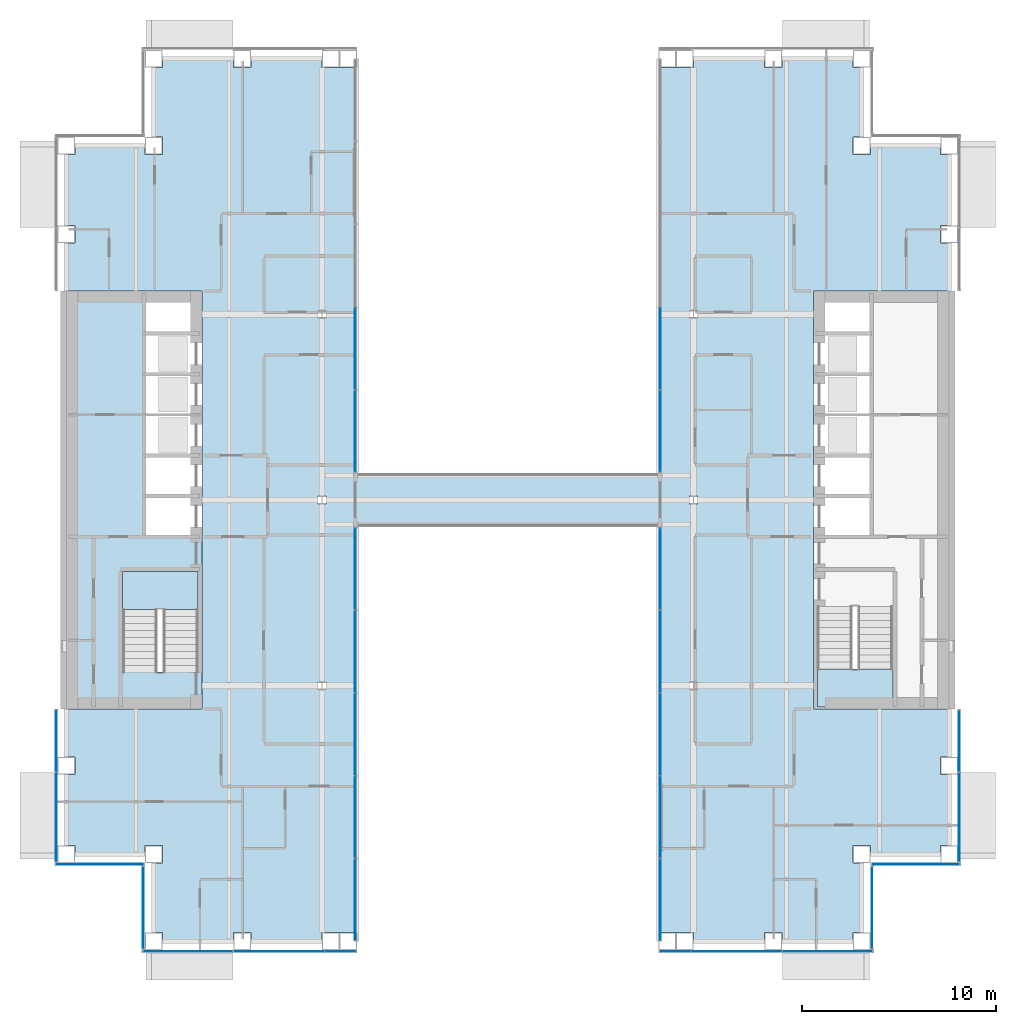
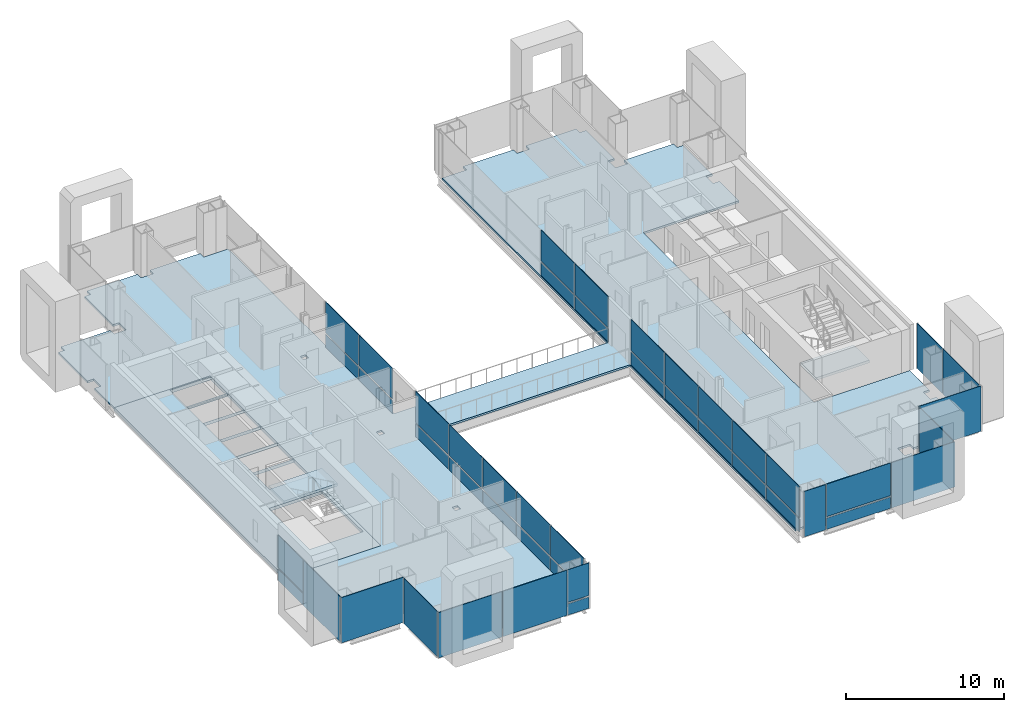
# One storey, part 8 of 17: 45 plates, 4 slabs, 14 elements without a shape of their own.
"""IFC4 building model written with IfcOpenShell, lengths in metres."""

from ifc_helpers import new_model, si_unit, direction, frame, origin, origin_2d, place, context, subcontext, project, spatial, polyline, rectangle, outline, extrude, material, layer, layer_set, type_object, element, aggregate, save


model = new_model("IFC4")

# Units and contexts
model_context = context("Model", 3, precision=1e-05, world=origin(), true_north=direction((0.0, 1.0)))
body_context = subcontext(model_context, "Body", "Model", "MODEL_VIEW")
ifc_project = project(units=[si_unit("LENGTHUNIT", "METRE"), si_unit("AREAUNIT", "SQUARE_METRE"), si_unit("VOLUMEUNIT", "CUBIC_METRE"), si_unit("PLANEANGLEUNIT", "RADIAN"), si_unit("MASSUNIT", "GRAM", prefix="KILO")], contexts=[model_context])

# Site, building, storey
site_placement = place(None, origin())
site = spatial("IfcSite", under=ifc_project, at=site_placement, CompositionType="ELEMENT")
building_placement = place(site_placement, origin())
building = spatial("IfcBuilding", under=site, at=building_placement, Name="Cobrizo Arcos Hotel Tower", CompositionType="ELEMENT")
storey_placement = place(building_placement, frame((0.0, 0.0, 131.0)))
storey = spatial("IfcBuildingStorey", under=building, at=storey_placement, Name="L33", CompositionType="ELEMENT", Elevation=131.0)

# Curtain wall, plate
ifc_material_1 = material(Name="Aluminium 6063-T6 anodised bronze", Category="aluminium")
curtain_wall_type_1 = type_object("IfcCurtainWallType", Name="CW-A guest facade", PredefinedType="NOTDEFINED", material=ifc_material_1)
curtain_wall_1_placement = place(storey_placement, origin())
curtain_wall_1 = element("IfcCurtainWall", 1, at=curtain_wall_1_placement, inside=storey, type_object=curtain_wall_type_1, Name="CW-A L33 S face", PredefinedType="NOTDEFINED")
ifc_material_2 = material(Name="Glass clear laminated low-e", Category="glass")
ifc_layer_1 = layer(ifc_material_2, 0.0400390625)
ifc_layer_set_1 = layer_set([ifc_layer_1], Name="CW-A glass panel")
plate_type_1 = type_object("IfcPlateType", Name="CW-A glass panel", PredefinedType="CURTAIN_PANEL", material=ifc_layer_set_1)
plate_1_placement = place(storey_placement, frame((-8.639892578125, -23.324951171875, 0.990234375), z_axis=(0.0, 0.0, 1.0), x_axis=(1.0, 0.0, 0.0)))
plate_1 = element("IfcPlate", 2, at=plate_1_placement, type_object=plate_type_1, Name="CW-A glass panel 1221", PredefinedType="CURTAIN_PANEL", context=body_context, shape_type="SweptSolid", body=[
    extrude(rectangle(XDim=1.56005859375, YDim=0.0400390625, at=origin_2d()), origin(), (0.0, 0.0, 1.0), 2.510009765625),
])

curtain_wall_2_placement = place(storey_placement, origin())
curtain_wall_2 = element("IfcCurtainWall", 3, at=curtain_wall_2_placement, inside=storey, type_object=curtain_wall_type_1, Name="CW-A L33 S face", PredefinedType="NOTDEFINED")
plate_2_placement = place(storey_placement, frame((11.8125, -23.324951171875, 0.990234375), z_axis=(0.0, 0.0, 1.0), x_axis=(1.0, 0.0, 0.0)))
plate_2 = element("IfcPlate", 4, at=plate_2_placement, type_object=plate_type_1, Name="CW-A glass panel 1223", PredefinedType="CURTAIN_PANEL", context=body_context, shape_type="SweptSolid", body=[
    extrude(rectangle(XDim=4.6650390625, YDim=0.0400390625, at=origin_2d()), origin(), (0.0, 0.0, 1.0), 2.510009765625),
])

curtain_wall_3_placement = place(storey_placement, origin())
curtain_wall_3 = element("IfcCurtainWall", 5, at=curtain_wall_3_placement, inside=storey, type_object=curtain_wall_type_1, Name="CW-A L33 W face", PredefinedType="NOTDEFINED")
plate_3_placement = place(storey_placement, frame((-23.324951171875, -12.4462890625, 0.990234375), z_axis=(0.0, 0.0, 1.0), x_axis=(0.0, -1.0, 0.0)))
plate_3 = element("IfcPlate", 6, at=plate_3_placement, type_object=plate_type_1, Name="CW-A glass panel 1243", PredefinedType="CURTAIN_PANEL", context=body_context, shape_type="SweptSolid", body=[
    extrude(rectangle(XDim=3.172607421875, YDim=0.0400390625, at=origin_2d()), origin(), (0.0, 0.0, 1.0), 2.510009765625),
])

# Plate
ifc_material_3 = material(Name="Aluminium composite panel pale metal", Category="aluminium")
ifc_layer_2 = layer(ifc_material_3, 0.0400390625)
ifc_layer_set_2 = layer_set([ifc_layer_2], Name="CW-A spandrel panel")
plate_type_2 = type_object("IfcPlateType", Name="CW-A spandrel panel", PredefinedType="CURTAIN_PANEL", material=ifc_layer_set_2)
plate_4_placement = place(storey_placement, frame((-16.5224609375, -23.324951171875, 0.0), z_axis=(0.0, 0.0, 1.0), x_axis=(1.0, 0.0, 0.0)))
plate_4 = element("IfcPlate", 7, at=plate_4_placement, type_object=plate_type_2, Name="CW-A spandrel panel 1219", PredefinedType="CURTAIN_PANEL", context=body_context, shape_type="SweptSolid", body=[
    extrude(rectangle(XDim=4.635009765625, YDim=0.0400390625, at=origin_2d()), origin(), (0.0, 0.0, 1.0), 3.5),
])

plate_5_placement = place(storey_placement, frame((-11.8125, -23.324951171875, 0.0), z_axis=(0.0, 0.0, 1.0), x_axis=(1.0, 0.0, 0.0)))
plate_5 = element("IfcPlate", 8, at=plate_5_placement, type_object=plate_type_2, Name="CW-A spandrel panel 1220", PredefinedType="CURTAIN_PANEL", context=body_context, shape_type="SweptSolid", body=[
    extrude(rectangle(XDim=4.6650390625, YDim=0.0400390625, at=origin_2d()), origin(), (0.0, 0.0, 1.0), 3.5),
])

plate_6_placement = place(storey_placement, frame((-8.639892578125, -23.324951171875, 0.0), z_axis=(0.0, 0.0, 1.0), x_axis=(1.0, 0.0, 0.0)))
plate_6 = element("IfcPlate", 9, at=plate_6_placement, type_object=plate_type_2, Name="CW-A spandrel panel 1221", PredefinedType="CURTAIN_PANEL", context=body_context, shape_type="SweptSolid", body=[
    extrude(rectangle(XDim=1.56005859375, YDim=0.0400390625, at=origin_2d()), origin(), (0.0, 0.0, 1.0), 0.8701171875),
])

aggregate(curtain_wall_1, [plate_4, plate_5, plate_6, plate_1])

plate_7_placement = place(storey_placement, frame((8.639892578125, -23.324951171875, 0.0), z_axis=(0.0, 0.0, 1.0), x_axis=(1.0, 0.0, 0.0)))
plate_7 = element("IfcPlate", 10, at=plate_7_placement, type_object=plate_type_2, Name="CW-A spandrel panel 1222", PredefinedType="CURTAIN_PANEL", context=body_context, shape_type="SweptSolid", body=[
    extrude(rectangle(XDim=1.56005859375, YDim=0.0400390625, at=origin_2d()), origin(), (0.0, 0.0, 1.0), 3.5),
])

plate_8_placement = place(storey_placement, frame((11.8125, -23.324951171875, 0.0), z_axis=(0.0, 0.0, 1.0), x_axis=(1.0, 0.0, 0.0)))
plate_8 = element("IfcPlate", 11, at=plate_8_placement, type_object=plate_type_2, Name="CW-A spandrel panel 1223", PredefinedType="CURTAIN_PANEL", context=body_context, shape_type="SweptSolid", body=[
    extrude(rectangle(XDim=4.6650390625, YDim=0.0400390625, at=origin_2d()), origin(), (0.0, 0.0, 1.0), 0.8701171875),
])

plate_9_placement = place(storey_placement, frame((16.5224609375, -23.324951171875, 0.0), z_axis=(0.0, 0.0, 1.0), x_axis=(1.0, 0.0, 0.0)))
plate_9 = element("IfcPlate", 12, at=plate_9_placement, type_object=plate_type_2, Name="CW-A spandrel panel 1224", PredefinedType="CURTAIN_PANEL", context=body_context, shape_type="SweptSolid", body=[
    extrude(rectangle(XDim=4.635009765625, YDim=0.0400390625, at=origin_2d()), origin(), (0.0, 0.0, 1.0), 3.5),
])

aggregate(curtain_wall_2, [plate_7, plate_8, plate_2, plate_9])

# Curtain wall, plate
curtain_wall_4_placement = place(storey_placement, origin())
curtain_wall_4 = element("IfcCurtainWall", 13, at=curtain_wall_4_placement, inside=storey, type_object=curtain_wall_type_1, Name="CW-A L33 E face", PredefinedType="NOTDEFINED")
plate_10_placement = place(storey_placement, frame((18.824951171875, -21.074951171875, 0.0), z_axis=(0.0, 0.0, 1.0), x_axis=(0.0, 1.0, 0.0)))
plate_10 = element("IfcPlate", 14, at=plate_10_placement, type_object=plate_type_2, Name="CW-A spandrel panel 1225", PredefinedType="CURTAIN_PANEL", context=body_context, shape_type="SweptSolid", body=[
    extrude(rectangle(XDim=4.22998046875, YDim=0.0400390625, at=origin_2d()), origin(), (0.0, 0.0, 1.0), 3.5),
])
aggregate(curtain_wall_4, [plate_10])

curtain_wall_5_placement = place(storey_placement, origin())
curtain_wall_5 = element("IfcCurtainWall", 15, at=curtain_wall_5_placement, inside=storey, type_object=curtain_wall_type_1, Name="CW-A L33 S face", PredefinedType="NOTDEFINED")
plate_11_placement = place(storey_placement, frame((21.074951171875, -18.824951171875, 0.0), z_axis=(0.0, 0.0, 1.0), x_axis=(1.0, 0.0, 0.0)))
plate_11 = element("IfcPlate", 16, at=plate_11_placement, type_object=plate_type_2, Name="CW-A spandrel panel 1226", PredefinedType="CURTAIN_PANEL", context=body_context, shape_type="SweptSolid", body=[
    extrude(rectangle(XDim=4.530029296875, YDim=0.0400390625, at=origin_2d()), origin(), (0.0, 0.0, 1.0), 3.5),
])
aggregate(curtain_wall_5, [plate_11])

# Curtain wall, plates
curtain_wall_6_placement = place(storey_placement, origin())
curtain_wall_6 = element("IfcCurtainWall", 17, at=curtain_wall_6_placement, inside=storey, type_object=curtain_wall_type_1, Name="CW-A L33 E face", PredefinedType="NOTDEFINED")
plate_12_placement = place(storey_placement, frame((23.324951171875, -16.391357421875, 0.0), z_axis=(0.0, 0.0, 1.0), x_axis=(0.0, 1.0, 0.0)))
plate_12 = element("IfcPlate", 18, at=plate_12_placement, type_object=plate_type_2, Name="CW-A spandrel panel 1227", PredefinedType="CURTAIN_PANEL", context=body_context, shape_type="SweptSolid", body=[
    extrude(rectangle(XDim=4.597412109375, YDim=0.0400390625, at=origin_2d()), origin(), (0.0, 0.0, 1.0), 3.5),
])
plate_13_placement = place(storey_placement, frame((23.324951171875, -12.4462890625, 0.0), z_axis=(0.0, 0.0, 1.0), x_axis=(0.0, 1.0, 0.0)))
plate_13 = element("IfcPlate", 19, at=plate_13_placement, type_object=plate_type_2, Name="CW-A spandrel panel 1228", PredefinedType="CURTAIN_PANEL", context=body_context, shape_type="SweptSolid", body=[
    extrude(rectangle(XDim=3.172607421875, YDim=0.0400390625, at=origin_2d()), origin(), (0.0, 0.0, 1.0), 3.5),
])
aggregate(curtain_wall_6, [plate_12, plate_13])

# Plate
plate_14_placement = place(storey_placement, frame((-23.324951171875, -12.4462890625, 0.0), z_axis=(0.0, 0.0, 1.0), x_axis=(0.0, -1.0, 0.0)))
plate_14 = element("IfcPlate", 20, at=plate_14_placement, type_object=plate_type_2, Name="CW-A spandrel panel 1243", PredefinedType="CURTAIN_PANEL", context=body_context, shape_type="SweptSolid", body=[
    extrude(rectangle(XDim=3.172607421875, YDim=0.0400390625, at=origin_2d()), origin(), (0.0, 0.0, 1.0), 0.8701171875),
])

plate_15_placement = place(storey_placement, frame((-23.324951171875, -16.391357421875, 0.0), z_axis=(0.0, 0.0, 1.0), x_axis=(0.0, -1.0, 0.0)))
plate_15 = element("IfcPlate", 21, at=plate_15_placement, type_object=plate_type_2, Name="CW-A spandrel panel 1244", PredefinedType="CURTAIN_PANEL", context=body_context, shape_type="SweptSolid", body=[
    extrude(rectangle(XDim=4.597412109375, YDim=0.0400390625, at=origin_2d()), origin(), (0.0, 0.0, 1.0), 3.5),
])

aggregate(curtain_wall_3, [plate_14, plate_3, plate_15])

# Curtain wall, plate
curtain_wall_7_placement = place(storey_placement, origin())
curtain_wall_7 = element("IfcCurtainWall", 22, at=curtain_wall_7_placement, inside=storey, type_object=curtain_wall_type_1, Name="CW-A L33 S face", PredefinedType="NOTDEFINED")
plate_16_placement = place(storey_placement, frame((-21.074951171875, -18.824951171875, 0.0), z_axis=(0.0, 0.0, 1.0), x_axis=(1.0, 0.0, 0.0)))
plate_16 = element("IfcPlate", 23, at=plate_16_placement, type_object=plate_type_2, Name="CW-A spandrel panel 1245", PredefinedType="CURTAIN_PANEL", context=body_context, shape_type="SweptSolid", body=[
    extrude(rectangle(XDim=4.530029296875, YDim=0.0400390625, at=origin_2d()), origin(), (0.0, 0.0, 1.0), 3.5),
])
aggregate(curtain_wall_7, [plate_16])

curtain_wall_8_placement = place(storey_placement, origin())
curtain_wall_8 = element("IfcCurtainWall", 24, at=curtain_wall_8_placement, inside=storey, type_object=curtain_wall_type_1, Name="CW-A L33 W face", PredefinedType="NOTDEFINED")
plate_17_placement = place(storey_placement, frame((-18.824951171875, -21.074951171875, 0.0), z_axis=(0.0, 0.0, 1.0), x_axis=(0.0, -1.0, 0.0)))
plate_17 = element("IfcPlate", 25, at=plate_17_placement, type_object=plate_type_2, Name="CW-A spandrel panel 1246", PredefinedType="CURTAIN_PANEL", context=body_context, shape_type="SweptSolid", body=[
    extrude(rectangle(XDim=4.22998046875, YDim=0.0400390625, at=origin_2d()), origin(), (0.0, 0.0, 1.0), 3.5),
])
aggregate(curtain_wall_8, [plate_17])

# Curtain wall, plates
curtain_wall_type_2 = type_object("IfcCurtainWallType", Name="CW-F void screen", PredefinedType="NOTDEFINED", material=ifc_material_1)
curtain_wall_9_placement = place(storey_placement, origin())
curtain_wall_9 = element("IfcCurtainWall", 26, at=curtain_wall_9_placement, inside=storey, type_object=curtain_wall_type_2, Name="CW-F L33 void screen B", PredefinedType="NOTDEFINED")
ifc_layer_3 = layer(ifc_material_2, 0.0400390625)
ifc_layer_set_3 = layer_set([ifc_layer_3], Name="CW-F glass panel")
plate_type_3 = type_object("IfcPlateType", Name="CW-F glass panel", PredefinedType="CURTAIN_PANEL", material=ifc_layer_set_3)
plate_18_placement = place(storey_placement, frame((7.875, -20.64501953125, 0.0), z_axis=(0.0, 0.0, 1.0), x_axis=(0.0, 1.0, 0.0)))
plate_18 = element("IfcPlate", 27, at=plate_18_placement, type_object=plate_type_3, Name="CW-F glass panel 2646", PredefinedType="CURTAIN_PANEL", context=body_context, shape_type="SweptSolid", body=[
    extrude(rectangle(XDim=4.18994140625, YDim=0.0400390625, at=origin_2d()), origin(), (0.0, 0.0, 1.0), 0.989990234375),
])
plate_19_placement = place(storey_placement, frame((7.875, -20.64501953125, 1.10986328125), z_axis=(0.0, 0.0, 1.0), x_axis=(0.0, 1.0, 0.0)))
plate_19 = element("IfcPlate", 28, at=plate_19_placement, type_object=plate_type_3, Name="CW-F glass panel 2646", PredefinedType="CURTAIN_PANEL", context=body_context, shape_type="SweptSolid", body=[
    extrude(rectangle(XDim=4.18994140625, YDim=0.0400390625, at=origin_2d()), origin(), (0.0, 0.0, 1.0), 2.389892578125),
])
plate_20_placement = place(storey_placement, frame((7.875, -16.3798828125, 0.0), z_axis=(0.0, 0.0, 1.0), x_axis=(0.0, 1.0, 0.0)))
plate_20 = element("IfcPlate", 29, at=plate_20_placement, type_object=plate_type_3, Name="CW-F glass panel 2647", PredefinedType="CURTAIN_PANEL", context=body_context, shape_type="SweptSolid", body=[
    extrude(rectangle(XDim=4.219970703125, YDim=0.0400390625, at=origin_2d()), origin(), (0.0, 0.0, 1.0), 0.989990234375),
])
plate_21_placement = place(storey_placement, frame((7.875, -16.3798828125, 1.10986328125), z_axis=(0.0, 0.0, 1.0), x_axis=(0.0, 1.0, 0.0)))
plate_21 = element("IfcPlate", 30, at=plate_21_placement, type_object=plate_type_3, Name="CW-F glass panel 2647", PredefinedType="CURTAIN_PANEL", context=body_context, shape_type="SweptSolid", body=[
    extrude(rectangle(XDim=4.219970703125, YDim=0.0400390625, at=origin_2d()), origin(), (0.0, 0.0, 1.0), 2.389892578125),
])
plate_22_placement = place(storey_placement, frame((7.875, -12.10009765625, 0.0), z_axis=(0.0, 0.0, 1.0), x_axis=(0.0, 1.0, 0.0)))
plate_22 = element("IfcPlate", 31, at=plate_22_placement, type_object=plate_type_3, Name="CW-F glass panel 2648", PredefinedType="CURTAIN_PANEL", context=body_context, shape_type="SweptSolid", body=[
    extrude(rectangle(XDim=4.219970703125, YDim=0.0400390625, at=origin_2d()), origin(), (0.0, 0.0, 1.0), 0.989990234375),
])
plate_23_placement = place(storey_placement, frame((7.875, -12.10009765625, 1.10986328125), z_axis=(0.0, 0.0, 1.0), x_axis=(0.0, 1.0, 0.0)))
plate_23 = element("IfcPlate", 32, at=plate_23_placement, type_object=plate_type_3, Name="CW-F glass panel 2648", PredefinedType="CURTAIN_PANEL", context=body_context, shape_type="SweptSolid", body=[
    extrude(rectangle(XDim=4.219970703125, YDim=0.0400390625, at=origin_2d()), origin(), (0.0, 0.0, 1.0), 2.389892578125),
])
plate_24_placement = place(storey_placement, frame((7.875, -7.820068359375, 0.0), z_axis=(0.0, 0.0, 1.0), x_axis=(0.0, 1.0, 0.0)))
plate_24 = element("IfcPlate", 33, at=plate_24_placement, type_object=plate_type_3, Name="CW-F glass panel 2649", PredefinedType="CURTAIN_PANEL", context=body_context, shape_type="SweptSolid", body=[
    extrude(rectangle(XDim=4.219970703125, YDim=0.0400390625, at=origin_2d()), origin(), (0.0, 0.0, 1.0), 0.989990234375),
])
plate_25_placement = place(storey_placement, frame((7.875, -7.820068359375, 1.10986328125), z_axis=(0.0, 0.0, 1.0), x_axis=(0.0, 1.0, 0.0)))
plate_25 = element("IfcPlate", 34, at=plate_25_placement, type_object=plate_type_3, Name="CW-F glass panel 2649", PredefinedType="CURTAIN_PANEL", context=body_context, shape_type="SweptSolid", body=[
    extrude(rectangle(XDim=4.219970703125, YDim=0.0400390625, at=origin_2d()), origin(), (0.0, 0.0, 1.0), 2.389892578125),
])
plate_26_placement = place(storey_placement, frame((7.875, -3.554931640625, 0.0), z_axis=(0.0, 0.0, 1.0), x_axis=(0.0, 1.0, 0.0)))
plate_26 = element("IfcPlate", 35, at=plate_26_placement, type_object=plate_type_3, Name="CW-F glass panel 2650", PredefinedType="CURTAIN_PANEL", context=body_context, shape_type="SweptSolid", body=[
    extrude(rectangle(XDim=4.18994140625, YDim=0.0400390625, at=origin_2d()), origin(), (0.0, 0.0, 1.0), 0.989990234375),
])
plate_27_placement = place(storey_placement, frame((7.875, -3.554931640625, 1.10986328125), z_axis=(0.0, 0.0, 1.0), x_axis=(0.0, 1.0, 0.0)))
plate_27 = element("IfcPlate", 36, at=plate_27_placement, type_object=plate_type_3, Name="CW-F glass panel 2650", PredefinedType="CURTAIN_PANEL", context=body_context, shape_type="SweptSolid", body=[
    extrude(rectangle(XDim=4.18994140625, YDim=0.0400390625, at=origin_2d()), origin(), (0.0, 0.0, 1.0), 2.389892578125),
])
aggregate(curtain_wall_9, [plate_18, plate_19, plate_20, plate_21, plate_22, plate_23, plate_24, plate_25, plate_26, plate_27])

curtain_wall_10_placement = place(storey_placement, origin())
curtain_wall_10 = element("IfcCurtainWall", 37, at=curtain_wall_10_placement, inside=storey, type_object=curtain_wall_type_2, Name="CW-F L33 void screen B", PredefinedType="NOTDEFINED")
plate_28_placement = place(storey_placement, frame((7.875, 3.554931640625, 0.0), z_axis=(0.0, 0.0, 1.0), x_axis=(0.0, 1.0, 0.0)))
plate_28 = element("IfcPlate", 38, at=plate_28_placement, type_object=plate_type_3, Name="CW-F glass panel 2651", PredefinedType="CURTAIN_PANEL", context=body_context, shape_type="SweptSolid", body=[
    extrude(rectangle(XDim=4.18994140625, YDim=0.0400390625, at=origin_2d()), origin(), (0.0, 0.0, 1.0), 0.989990234375),
])
plate_29_placement = place(storey_placement, frame((7.875, 3.554931640625, 1.10986328125), z_axis=(0.0, 0.0, 1.0), x_axis=(0.0, 1.0, 0.0)))
plate_29 = element("IfcPlate", 39, at=plate_29_placement, type_object=plate_type_3, Name="CW-F glass panel 2651", PredefinedType="CURTAIN_PANEL", context=body_context, shape_type="SweptSolid", body=[
    extrude(rectangle(XDim=4.18994140625, YDim=0.0400390625, at=origin_2d()), origin(), (0.0, 0.0, 1.0), 2.389892578125),
])
plate_30_placement = place(storey_placement, frame((7.875, 7.820068359375, 0.0), z_axis=(0.0, 0.0, 1.0), x_axis=(0.0, 1.0, 0.0)))
plate_30 = element("IfcPlate", 40, at=plate_30_placement, type_object=plate_type_3, Name="CW-F glass panel 2652", PredefinedType="CURTAIN_PANEL", context=body_context, shape_type="SweptSolid", body=[
    extrude(rectangle(XDim=4.219970703125, YDim=0.0400390625, at=origin_2d()), origin(), (0.0, 0.0, 1.0), 0.989990234375),
])
plate_31_placement = place(storey_placement, frame((7.875, 7.820068359375, 1.10986328125), z_axis=(0.0, 0.0, 1.0), x_axis=(0.0, 1.0, 0.0)))
plate_31 = element("IfcPlate", 41, at=plate_31_placement, type_object=plate_type_3, Name="CW-F glass panel 2652", PredefinedType="CURTAIN_PANEL", context=body_context, shape_type="SweptSolid", body=[
    extrude(rectangle(XDim=4.219970703125, YDim=0.0400390625, at=origin_2d()), origin(), (0.0, 0.0, 1.0), 2.389892578125),
])
aggregate(curtain_wall_10, [plate_28, plate_29, plate_30, plate_31])

curtain_wall_11_placement = place(storey_placement, origin())
curtain_wall_11 = element("IfcCurtainWall", 42, at=curtain_wall_11_placement, inside=storey, type_object=curtain_wall_type_2, Name="CW-F L33 void screen B", PredefinedType="NOTDEFINED")
plate_32_placement = place(storey_placement, frame((-7.875, 7.820068359375, 0.0), z_axis=(0.0, 0.0, 1.0), x_axis=(0.0, -1.0, 0.0)))
plate_32 = element("IfcPlate", 43, at=plate_32_placement, type_object=plate_type_3, Name="CW-F glass panel 2659", PredefinedType="CURTAIN_PANEL", context=body_context, shape_type="SweptSolid", body=[
    extrude(rectangle(XDim=4.219970703125, YDim=0.0400390625, at=origin_2d()), origin(), (0.0, 0.0, 1.0), 0.989990234375),
])
plate_33_placement = place(storey_placement, frame((-7.875, 7.820068359375, 1.10986328125), z_axis=(0.0, 0.0, 1.0), x_axis=(0.0, -1.0, 0.0)))
plate_33 = element("IfcPlate", 44, at=plate_33_placement, type_object=plate_type_3, Name="CW-F glass panel 2659", PredefinedType="CURTAIN_PANEL", context=body_context, shape_type="SweptSolid", body=[
    extrude(rectangle(XDim=4.219970703125, YDim=0.0400390625, at=origin_2d()), origin(), (0.0, 0.0, 1.0), 2.389892578125),
])
plate_34_placement = place(storey_placement, frame((-7.875, 3.554931640625, 0.0), z_axis=(0.0, 0.0, 1.0), x_axis=(0.0, -1.0, 0.0)))
plate_34 = element("IfcPlate", 45, at=plate_34_placement, type_object=plate_type_3, Name="CW-F glass panel 2660", PredefinedType="CURTAIN_PANEL", context=body_context, shape_type="SweptSolid", body=[
    extrude(rectangle(XDim=4.18994140625, YDim=0.0400390625, at=origin_2d()), origin(), (0.0, 0.0, 1.0), 0.989990234375),
])
plate_35_placement = place(storey_placement, frame((-7.875, 3.554931640625, 1.10986328125), z_axis=(0.0, 0.0, 1.0), x_axis=(0.0, -1.0, 0.0)))
plate_35 = element("IfcPlate", 46, at=plate_35_placement, type_object=plate_type_3, Name="CW-F glass panel 2660", PredefinedType="CURTAIN_PANEL", context=body_context, shape_type="SweptSolid", body=[
    extrude(rectangle(XDim=4.18994140625, YDim=0.0400390625, at=origin_2d()), origin(), (0.0, 0.0, 1.0), 2.389892578125),
])
aggregate(curtain_wall_11, [plate_32, plate_33, plate_34, plate_35])

curtain_wall_12_placement = place(storey_placement, origin())
curtain_wall_12 = element("IfcCurtainWall", 47, at=curtain_wall_12_placement, inside=storey, type_object=curtain_wall_type_2, Name="CW-F L33 void screen B", PredefinedType="NOTDEFINED")
plate_36_placement = place(storey_placement, frame((-7.875, -3.554931640625, 0.0), z_axis=(0.0, 0.0, 1.0), x_axis=(0.0, -1.0, 0.0)))
plate_36 = element("IfcPlate", 48, at=plate_36_placement, type_object=plate_type_3, Name="CW-F glass panel 2661", PredefinedType="CURTAIN_PANEL", context=body_context, shape_type="SweptSolid", body=[
    extrude(rectangle(XDim=4.18994140625, YDim=0.0400390625, at=origin_2d()), origin(), (0.0, 0.0, 1.0), 0.989990234375),
])
plate_37_placement = place(storey_placement, frame((-7.875, -3.554931640625, 1.10986328125), z_axis=(0.0, 0.0, 1.0), x_axis=(0.0, -1.0, 0.0)))
plate_37 = element("IfcPlate", 49, at=plate_37_placement, type_object=plate_type_3, Name="CW-F glass panel 2661", PredefinedType="CURTAIN_PANEL", context=body_context, shape_type="SweptSolid", body=[
    extrude(rectangle(XDim=4.18994140625, YDim=0.0400390625, at=origin_2d()), origin(), (0.0, 0.0, 1.0), 2.389892578125),
])
plate_38_placement = place(storey_placement, frame((-7.875, -7.820068359375, 0.0), z_axis=(0.0, 0.0, 1.0), x_axis=(0.0, -1.0, 0.0)))
plate_38 = element("IfcPlate", 50, at=plate_38_placement, type_object=plate_type_3, Name="CW-F glass panel 2662", PredefinedType="CURTAIN_PANEL", context=body_context, shape_type="SweptSolid", body=[
    extrude(rectangle(XDim=4.219970703125, YDim=0.0400390625, at=origin_2d()), origin(), (0.0, 0.0, 1.0), 0.989990234375),
])
plate_39_placement = place(storey_placement, frame((-7.875, -7.820068359375, 1.10986328125), z_axis=(0.0, 0.0, 1.0), x_axis=(0.0, -1.0, 0.0)))
plate_39 = element("IfcPlate", 51, at=plate_39_placement, type_object=plate_type_3, Name="CW-F glass panel 2662", PredefinedType="CURTAIN_PANEL", context=body_context, shape_type="SweptSolid", body=[
    extrude(rectangle(XDim=4.219970703125, YDim=0.0400390625, at=origin_2d()), origin(), (0.0, 0.0, 1.0), 2.389892578125),
])
plate_40_placement = place(storey_placement, frame((-7.875, -12.10009765625, 0.0), z_axis=(0.0, 0.0, 1.0), x_axis=(0.0, -1.0, 0.0)))
plate_40 = element("IfcPlate", 52, at=plate_40_placement, type_object=plate_type_3, Name="CW-F glass panel 2663", PredefinedType="CURTAIN_PANEL", context=body_context, shape_type="SweptSolid", body=[
    extrude(rectangle(XDim=4.219970703125, YDim=0.0400390625, at=origin_2d()), origin(), (0.0, 0.0, 1.0), 0.989990234375),
])
plate_41_placement = place(storey_placement, frame((-7.875, -12.10009765625, 1.10986328125), z_axis=(0.0, 0.0, 1.0), x_axis=(0.0, -1.0, 0.0)))
plate_41 = element("IfcPlate", 53, at=plate_41_placement, type_object=plate_type_3, Name="CW-F glass panel 2663", PredefinedType="CURTAIN_PANEL", context=body_context, shape_type="SweptSolid", body=[
    extrude(rectangle(XDim=4.219970703125, YDim=0.0400390625, at=origin_2d()), origin(), (0.0, 0.0, 1.0), 2.389892578125),
])
plate_42_placement = place(storey_placement, frame((-7.875, -16.3798828125, 0.0), z_axis=(0.0, 0.0, 1.0), x_axis=(0.0, -1.0, 0.0)))
plate_42 = element("IfcPlate", 54, at=plate_42_placement, type_object=plate_type_3, Name="CW-F glass panel 2664", PredefinedType="CURTAIN_PANEL", context=body_context, shape_type="SweptSolid", body=[
    extrude(rectangle(XDim=4.219970703125, YDim=0.0400390625, at=origin_2d()), origin(), (0.0, 0.0, 1.0), 0.989990234375),
])
plate_43_placement = place(storey_placement, frame((-7.875, -16.3798828125, 1.10986328125), z_axis=(0.0, 0.0, 1.0), x_axis=(0.0, -1.0, 0.0)))
plate_43 = element("IfcPlate", 55, at=plate_43_placement, type_object=plate_type_3, Name="CW-F glass panel 2664", PredefinedType="CURTAIN_PANEL", context=body_context, shape_type="SweptSolid", body=[
    extrude(rectangle(XDim=4.219970703125, YDim=0.0400390625, at=origin_2d()), origin(), (0.0, 0.0, 1.0), 2.389892578125),
])
plate_44_placement = place(storey_placement, frame((-7.875, -20.64501953125, 0.0), z_axis=(0.0, 0.0, 1.0), x_axis=(0.0, -1.0, 0.0)))
plate_44 = element("IfcPlate", 56, at=plate_44_placement, type_object=plate_type_3, Name="CW-F glass panel 2665", PredefinedType="CURTAIN_PANEL", context=body_context, shape_type="SweptSolid", body=[
    extrude(rectangle(XDim=4.18994140625, YDim=0.0400390625, at=origin_2d()), origin(), (0.0, 0.0, 1.0), 0.989990234375),
])
plate_45_placement = place(storey_placement, frame((-7.875, -20.64501953125, 1.10986328125), z_axis=(0.0, 0.0, 1.0), x_axis=(0.0, -1.0, 0.0)))
plate_45 = element("IfcPlate", 57, at=plate_45_placement, type_object=plate_type_3, Name="CW-F glass panel 2665", PredefinedType="CURTAIN_PANEL", context=body_context, shape_type="SweptSolid", body=[
    extrude(rectangle(XDim=4.18994140625, YDim=0.0400390625, at=origin_2d()), origin(), (0.0, 0.0, 1.0), 2.389892578125),
])
aggregate(curtain_wall_12, [plate_36, plate_37, plate_38, plate_39, plate_40, plate_41, plate_42, plate_43, plate_44, plate_45])

# Slabs
ifc_material_4 = material(Name="Concrete f'c 35 MPa", Category="concrete")
ifc_layer_4 = layer(ifc_material_4, 0.14990234375)
ifc_layer_set_4 = layer_set([ifc_layer_4], Name="Composite floor slab 150 f'c 35")
slab_type_1 = type_object("IfcSlabType", Name="Composite floor slab 150 f'c 35", PredefinedType="FLOOR", material=ifc_layer_set_4)
slab_1_placement = place(storey_placement, frame((0.0, 0.0, -0.14990234375)))
element("IfcSlab", 58, at=slab_1_placement, inside=storey, type_object=slab_type_1, Name="Floor slab S5, L33, no. 01", PredefinedType="FLOOR", context=body_context, shape_type="SweptSolid", body=[
    extrude(outline(polyline([(22.35009765625, 18.300048828125), (22.35009765625, 17.85009765625), (22.800048828125, 17.85009765625), (22.800048828125, 14.175048828125), (22.35009765625, 14.175048828125), (22.35009765625, 13.27490234375), (22.800048828125, 13.27490234375), (22.800048828125, 10.800048828125), (15.800048828125, 10.800048828125), (15.800048828125, -10.800048828125), (22.800048828125, -10.800048828125), (22.800048828125, -13.27490234375), (22.35009765625, -13.27490234375), (22.35009765625, -14.175048828125), (22.800048828125, -14.175048828125), (22.800048828125, -17.85009765625), (22.35009765625, -17.85009765625), (22.35009765625, -18.300048828125), (18.75, -18.300048828125), (18.75, -17.85009765625), (17.85009765625, -17.85009765625), (17.85009765625, -18.75), (18.300048828125, -18.75), (18.300048828125, -22.35009765625), (17.85009765625, -22.35009765625), (17.85009765625, -22.800048828125), (14.175048828125, -22.800048828125), (14.175048828125, -22.35009765625), (13.27490234375, -22.35009765625), (13.27490234375, -22.800048828125), (9.60009765625, -22.800048828125), (9.60009765625, -22.35009765625), (8.699951171875, -22.35009765625), (7.800048828125, -22.35009765625), (7.800048828125, -22.800048828125), (7.800048828125, -22.800048828125), (7.800048828125, -1.39990234375), (-7.800048828125, -1.39990234375), (-7.800048828125, -22.800048828125), (-7.800048828125, -22.800048828125), (-7.800048828125, -22.35009765625), (-8.699951171875, -22.35009765625), (-9.60009765625, -22.35009765625), (-9.60009765625, -22.800048828125), (-13.27490234375, -22.800048828125), (-13.27490234375, -22.35009765625), (-14.175048828125, -22.35009765625), (-14.175048828125, -22.800048828125), (-17.85009765625, -22.800048828125), (-17.85009765625, -22.35009765625), (-18.300048828125, -22.35009765625), (-18.300048828125, -18.75), (-17.85009765625, -18.75), (-17.85009765625, -17.85009765625), (-18.75, -17.85009765625), (-18.75, -18.300048828125), (-22.35009765625, -18.300048828125), (-22.35009765625, -17.85009765625), (-22.800048828125, -17.85009765625), (-22.800048828125, -14.175048828125), (-22.35009765625, -14.175048828125), (-22.35009765625, -13.27490234375), (-22.800048828125, -13.27490234375), (-22.800048828125, -10.800048828125), (-15.800048828125, -10.800048828125), (-15.800048828125, 10.800048828125), (-22.800048828125, 10.800048828125), (-22.800048828125, 13.27490234375), (-22.35009765625, 13.27490234375), (-22.35009765625, 14.175048828125), (-22.800048828125, 14.175048828125), (-22.800048828125, 17.85009765625), (-22.35009765625, 17.85009765625), (-22.35009765625, 18.300048828125), (-18.75, 18.300048828125), (-18.75, 17.85009765625), (-17.85009765625, 17.85009765625), (-17.85009765625, 18.75), (-18.300048828125, 18.75), (-18.300048828125, 22.35009765625), (-17.85009765625, 22.35009765625), (-17.85009765625, 22.800048828125), (-14.175048828125, 22.800048828125), (-14.175048828125, 22.35009765625), (-13.27490234375, 22.35009765625), (-13.27490234375, 22.800048828125), (-9.60009765625, 22.800048828125), (-9.60009765625, 22.35009765625), (-8.699951171875, 22.35009765625), (-7.800048828125, 22.35009765625), (-7.800048828125, 22.800048828125), (-7.800048828125, 22.800048828125), (-7.800048828125, 1.39990234375), (7.800048828125, 1.39990234375), (7.800048828125, 22.800048828125), (7.800048828125, 22.800048828125), (7.800048828125, 22.35009765625), (8.699951171875, 22.35009765625), (9.60009765625, 22.35009765625), (9.60009765625, 22.800048828125), (13.27490234375, 22.800048828125), (13.27490234375, 22.35009765625), (14.175048828125, 22.35009765625), (14.175048828125, 22.800048828125), (17.85009765625, 22.800048828125), (17.85009765625, 22.35009765625), (18.300048828125, 22.35009765625), (18.300048828125, 18.75), (17.85009765625, 18.75), (17.85009765625, 17.85009765625), (18.75, 17.85009765625), (18.75, 18.300048828125), (22.35009765625, 18.300048828125)]), holes=[polyline([(-9.79931640625, -9.79931640625), (-9.400634765625, -9.79931640625), (-9.400634765625, -9.400634765625), (-9.79931640625, -9.400634765625), (-9.79931640625, -9.79931640625)]), polyline([(-9.400634765625, -0.199462890625), (-9.400634765625, 0.199462890625), (-9.79931640625, 0.199462890625), (-9.79931640625, -0.199462890625), (-9.400634765625, -0.199462890625)]), polyline([(-9.400634765625, 9.400634765625), (-9.400634765625, 9.79931640625), (-9.79931640625, 9.79931640625), (-9.79931640625, 9.400634765625), (-9.400634765625, 9.400634765625)]), polyline([(9.400634765625, -9.79931640625), (9.79931640625, -9.79931640625), (9.79931640625, -9.400634765625), (9.400634765625, -9.400634765625), (9.400634765625, -9.79931640625)]), polyline([(9.400634765625, -0.199462890625), (9.79931640625, -0.199462890625), (9.79931640625, 0.199462890625), (9.400634765625, 0.199462890625), (9.400634765625, -0.199462890625)]), polyline([(9.79931640625, 9.400634765625), (9.79931640625, 9.79931640625), (9.400634765625, 9.79931640625), (9.400634765625, 9.400634765625), (9.79931640625, 9.400634765625)])]), origin(), (0.0, 0.0, 1.0), 0.14990234375),
])
ifc_material_5 = material(Name="Concrete f'c 50 MPa", Category="concrete")
ifc_layer_5 = layer(ifc_material_5, 0.25)
ifc_layer_set_5 = layer_set([ifc_layer_5], Name="RC core floor slab 250 f'c 50")
slab_type_2 = type_object("IfcSlabType", Name="RC core floor slab 250 f'c 50", PredefinedType="FLOOR", material=ifc_layer_set_5)
slab_2_placement = place(storey_placement, frame((0.0, 0.0, -0.25)))
element("IfcSlab", 59, at=slab_2_placement, inside=storey, type_object=slab_type_2, Name="Core floor slab CS5, west core, L33", PredefinedType="FLOOR", context=body_context, shape_type="SweptSolid", body=[
    extrude(outline(polyline([(-22.800048828125, 10.800048828125), (-15.800048828125, 10.800048828125), (-15.800048828125, -10.800048828125), (-22.800048828125, -10.800048828125), (-22.800048828125, 10.800048828125)]), holes=[polyline([(-19.89794921875, -3.701904296875), (-19.89794921875, -8.89794921875), (-16.001953125, -8.89794921875), (-16.001953125, -3.701904296875), (-19.89794921875, -3.701904296875)]), polyline([(-18.798095703125, 0.197998046875), (-18.798095703125, -1.89794921875), (-15.802001953125, -1.89794921875), (-15.802001953125, 0.197998046875), (-18.798095703125, 0.197998046875)]), polyline([(-15.802001953125, 2.298095703125), (-18.798095703125, 2.298095703125), (-18.798095703125, 0.201904296875), (-15.802001953125, 0.201904296875), (-15.802001953125, 2.298095703125)]), polyline([(-15.802001953125, 4.39794921875), (-18.798095703125, 4.39794921875), (-18.798095703125, 2.302001953125), (-15.802001953125, 2.302001953125), (-15.802001953125, 4.39794921875)]), polyline([(-18.798095703125, 6.498046875), (-18.798095703125, 4.402099609375), (-15.802001953125, 4.402099609375), (-15.802001953125, 6.498046875), (-18.798095703125, 6.498046875)]), polyline([(-15.802001953125, 8.597900390625), (-18.798095703125, 8.597900390625), (-18.798095703125, 6.501953125), (-15.802001953125, 6.501953125), (-15.802001953125, 8.597900390625)]), polyline([(-15.802001953125, 10.697998046875), (-18.798095703125, 10.697998046875), (-18.798095703125, 8.60205078125), (-15.802001953125, 8.60205078125), (-15.802001953125, 10.697998046875)])]), origin(), (0.0, 0.0, 1.0), 0.25),
])

# Stair, slab
ifc_material_6 = material(Name="Concrete f'c 40 MPa", Category="concrete")
stair_type = type_object("IfcStairType", Name="Exit stair", PredefinedType="HALF_TURN_STAIR", material=ifc_material_6)
stair_1_placement = place(storey_placement, origin())
stair_1 = element("IfcStair", 60, at=stair_1_placement, inside=storey, type_object=stair_type, Name="L33 Exit stair ST-W", PredefinedType="HALF_TURN_STAIR")
ifc_layer_6 = layer(ifc_material_6, 0.199951171875)
ifc_layer_set_6 = layer_set([ifc_layer_6], Name="Stair landing")
slab_type_3 = type_object("IfcSlabType", Name="Stair landing", PredefinedType="LANDING", material=ifc_layer_set_6)
slab_3_placement = place(storey_placement, frame((0.0, 0.0, 1.550048828125)))
slab_3 = element("IfcSlab", 61, at=slab_3_placement, type_object=slab_type_3, Name="ST-W landing 1", PredefinedType="LANDING", context=body_context, shape_type="SweptSolid", body=[
    extrude(outline(polyline([(-16.0, -5.659912109375), (-16.0, -3.699951171875), (-19.89990234375, -3.699951171875), (-19.89990234375, -5.659912109375), (-16.0, -5.659912109375)])), origin(), (0.0, 0.0, 1.0), 0.199951171875),
])
aggregate(stair_1, [slab_3])

stair_2_placement = place(storey_placement, origin())
stair_2 = element("IfcStair", 62, at=stair_2_placement, inside=storey, type_object=stair_type, Name="L33 Exit stair ST-E", PredefinedType="HALF_TURN_STAIR")
slab_4_placement = place(storey_placement, frame((0.0, 0.0, 1.550048828125)))
slab_4 = element("IfcSlab", 63, at=slab_4_placement, type_object=slab_type_3, Name="ST-E landing 1", PredefinedType="LANDING", context=body_context, shape_type="SweptSolid", body=[
    extrude(outline(polyline([(16.0, -8.739990234375), (16.0, -10.699951171875), (19.89990234375, -10.699951171875), (19.89990234375, -8.739990234375), (16.0, -8.739990234375)])), origin(), (0.0, 0.0, 1.0), 0.199951171875),
])
aggregate(stair_2, [slab_4])

save(model, "model.ifc")
